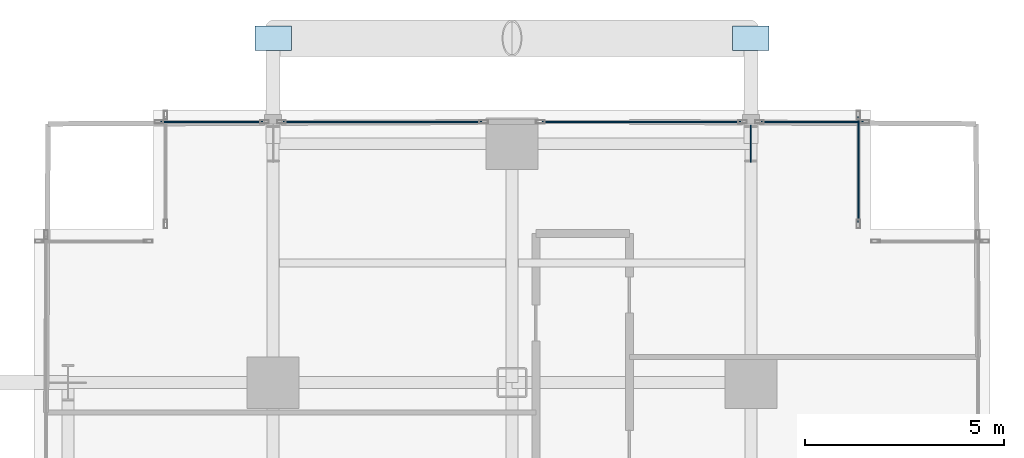
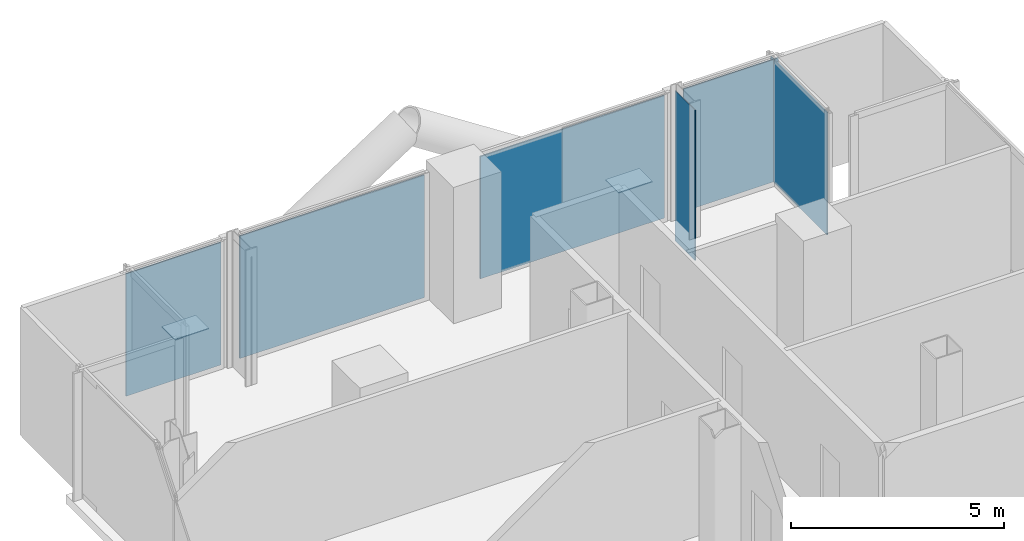
# One storey, part 18 of 25: 8 plates, 5 elements without a shape of their own.
"""IFC4 building model written with IfcOpenShell, lengths in metres."""

from ifc_helpers import new_model, si_unit, direction, frame, origin, origin_2d, place, context, subcontext, project, spatial, rectangle, extrude, material, layer, layer_set, type_object, element, aggregate, save


model = new_model("IFC4")

# Units and contexts
model_context = context("Model", 3, precision=1e-05, world=origin(), true_north=direction((0.0, 1.0)))
body_context = subcontext(model_context, "Body", "Model", "MODEL_VIEW")
ifc_project = project(units=[si_unit("LENGTHUNIT", "METRE"), si_unit("AREAUNIT", "SQUARE_METRE"), si_unit("VOLUMEUNIT", "CUBIC_METRE"), si_unit("PLANEANGLEUNIT", "RADIAN"), si_unit("MASSUNIT", "GRAM", prefix="KILO"), si_unit("THERMODYNAMICTEMPERATUREUNIT", "KELVIN"), si_unit("POWERUNIT", "WATT")], contexts=[model_context])

# Site, building, storey
site_placement = place(None, origin())
site = spatial("IfcSite", under=ifc_project, at=site_placement, CompositionType="ELEMENT")
building_placement = place(site_placement, origin())
building = spatial("IfcBuilding", under=site, at=building_placement, Name="Svarakhadi Broadcast Tower", CompositionType="ELEMENT")
storey_placement = place(building_placement, frame((0.0, 0.0, 48.0)))
storey = spatial("IfcBuildingStorey", under=building, at=storey_placement, Name="L10", CompositionType="ELEMENT", Elevation=48.0)

# Curtain wall, plate
ifc_material_1 = material(Name="Anodised Bronze Aluminium AA 6063-T6", Category="aluminium")
ifc_layer_1 = layer(ifc_material_1, 0.219970703125)
ifc_layer_set_1 = layer_set([ifc_layer_1], Name="Anodised Bronze Aluminium AA 6063-T6")
curtain_wall_type = type_object("IfcCurtainWallType", Name="CW_Sys_02", PredefinedType="NOTDEFINED", material=ifc_layer_set_1)
curtain_wall_1_placement = place(storey_placement, origin())
curtain_wall_1 = element("IfcCurtainWall", 1, at=curtain_wall_1_placement, inside=storey, type_object=curtain_wall_type, Name="L10 Unitised Facade Curtain Wall 06 Bay 1", PredefinedType="NOTDEFINED")
ifc_material_2 = material(Name="Double Low-E Laminated Acoustic Glass IGU 36 mm", Category="glass")
ifc_layer_2 = layer(ifc_material_2, 0.035888671875)
ifc_layer_set_2 = layer_set([ifc_layer_2], Name="Double Low-E Laminated Acoustic Glass IGU 36 mm")
plate_type_1 = type_object("IfcPlateType", Name="CW_Sys_02_Pnl", PredefinedType="CURTAIN_PANEL", material=ifc_layer_set_2)
plate_1_placement = place(storey_placement, frame((4.4599609375, 47.699951171875, 0.074951171875), z_axis=(0.0, 0.0, 1.0), x_axis=(1.0, 0.0, 0.0)))
plate_1 = element("IfcPlate", 2, at=plate_1_placement, type_object=plate_type_1, Name="CW-02 panel 1.1", PredefinedType="CURTAIN_PANEL", context=body_context, shape_type="SweptSolid", body=[
    extrude(rectangle(XDim=2.570068359375, YDim=0.035888671875, at=origin_2d()), origin(), (0.0, 0.0, 1.0), 3.5),
])
aggregate(curtain_wall_1, [plate_1])

curtain_wall_2_placement = place(storey_placement, origin())
curtain_wall_2 = element("IfcCurtainWall", 3, at=curtain_wall_2_placement, inside=storey, type_object=curtain_wall_type, Name="L10 Unitised Facade Curtain Wall 06 Bay 2", PredefinedType="NOTDEFINED")
plate_2_placement = place(storey_placement, frame((8.75, 47.699951171875, 0.074951171875), z_axis=(0.0, 0.0, 1.0), x_axis=(1.0, 0.0, 0.0)))
plate_2 = element("IfcPlate", 4, at=plate_2_placement, type_object=plate_type_1, Name="CW-02 panel 1.1", PredefinedType="CURTAIN_PANEL", context=body_context, shape_type="SweptSolid", body=[
    extrude(rectangle(XDim=4.989990234375, YDim=0.035888671875, at=origin_2d()), origin(), (0.0, 0.0, 1.0), 3.5),
])
aggregate(curtain_wall_2, [plate_2])

curtain_wall_3_placement = place(storey_placement, origin())
curtain_wall_3 = element("IfcCurtainWall", 5, at=curtain_wall_3_placement, inside=storey, type_object=curtain_wall_type, Name="L10 Unitised Facade Curtain Wall 06 Bay 3", PredefinedType="NOTDEFINED")
plate_3_placement = place(storey_placement, frame((15.25, 47.699951171875, 0.074951171875), z_axis=(0.0, 0.0, 1.0), x_axis=(1.0, 0.0, 0.0)))
plate_3 = element("IfcPlate", 6, at=plate_3_placement, type_object=plate_type_1, Name="CW-02 panel 1.1", PredefinedType="CURTAIN_PANEL", context=body_context, shape_type="SweptSolid", body=[
    extrude(rectangle(XDim=4.989990234375, YDim=0.035888671875, at=origin_2d()), origin(), (0.0, 0.0, 1.0), 3.5),
])
aggregate(curtain_wall_3, [plate_3])

curtain_wall_4_placement = place(storey_placement, origin())
curtain_wall_4 = element("IfcCurtainWall", 7, at=curtain_wall_4_placement, inside=storey, type_object=curtain_wall_type, Name="L10 Unitised Facade Curtain Wall 06 Bay 4", PredefinedType="NOTDEFINED")
plate_4_placement = place(storey_placement, frame((19.5400390625, 47.699951171875, 0.074951171875), z_axis=(0.0, 0.0, 1.0), x_axis=(1.0, 0.0, 0.0)))
plate_4 = element("IfcPlate", 8, at=plate_4_placement, type_object=plate_type_1, Name="CW-02 panel 1.1", PredefinedType="CURTAIN_PANEL", context=body_context, shape_type="SweptSolid", body=[
    extrude(rectangle(XDim=2.570068359375, YDim=0.035888671875, at=origin_2d()), origin(), (0.0, 0.0, 1.0), 3.5),
])
aggregate(curtain_wall_4, [plate_4])

curtain_wall_5_placement = place(storey_placement, origin())
curtain_wall_5 = element("IfcCurtainWall", 9, at=curtain_wall_5_placement, inside=storey, type_object=curtain_wall_type, Name="L10 Unitised Facade Curtain Wall 07", PredefinedType="NOTDEFINED")
plate_5_placement = place(storey_placement, frame((20.699951171875, 46.5, 0.074951171875), z_axis=(0.0, 0.0, 1.0), x_axis=(0.0, -1.0, 0.0)))
plate_5 = element("IfcPlate", 10, at=plate_5_placement, type_object=plate_type_1, Name="CW-02 panel 1.1", PredefinedType="CURTAIN_PANEL", context=body_context, shape_type="SweptSolid", body=[
    extrude(rectangle(XDim=2.64990234375, YDim=0.035888671875, at=origin_2d()), origin(), (0.0, 0.0, 1.0), 3.5),
])
aggregate(curtain_wall_5, [plate_5])

# Plates
ifc_material_3 = material(Name="Steel S460ML (IS 2062 E450BR)", Category="steel")
ifc_layer_3 = layer(ifc_material_3, 0.02587890625)
ifc_layer_set_3 = layer_set([ifc_layer_3], Name="Steel S460ML (IS 2062 E450BR)")
plate_type_2 = type_object("IfcPlateType", Name="Node_Gusset_N07", PredefinedType="SHEET", material=ifc_layer_set_3)
for number, where, z_axis, x_axis, name in (
    (11, (6.0, 49.800048828125, -0.25), (0.0, 0.0, 1.0), (1.0, 0.0, 0.0), "L10 Exoskeleton Gusset Node Plate N11"),
    (12, (18.0, 49.800048828125, -0.25), (0.0, 0.0, 1.0), (1.0, 0.0, 0.0), "L10 Exoskeleton Gusset Node Plate N12"),
):
    element("IfcPlate", number, at=place(storey_placement, frame(where, z_axis=z_axis, x_axis=x_axis)), inside=storey, type_object=plate_type_2, Name=name, PredefinedType="SHEET", context=body_context, shape_type="SweptSolid", body=[
        extrude(rectangle(XDim=0.919921875, YDim=0.6201171875, at=origin_2d()), origin(), (0.0, 0.0, 1.0), 0.02587890625),
    ])
plate_6_placement = place(storey_placement, frame((18.0, 47.14990234375, -0.6279296875), z_axis=(0.0, 0.0, 1.0), x_axis=(0.0, 1.0, 0.0)))
element("IfcPlate", 13, at=plate_6_placement, inside=storey, type_object=plate_type_2, Name="L10 Brace End Connection Gusset Plate N-07-E0064", PredefinedType="SHEET", context=body_context, shape_type="SweptSolid", body=[
    extrude(rectangle(XDim=0.919921875, YDim=0.02587890625, at=origin_2d()), origin(), (0.0, 0.0, 1.0), 4.300048828125),
])

save(model, "model.ifc")
